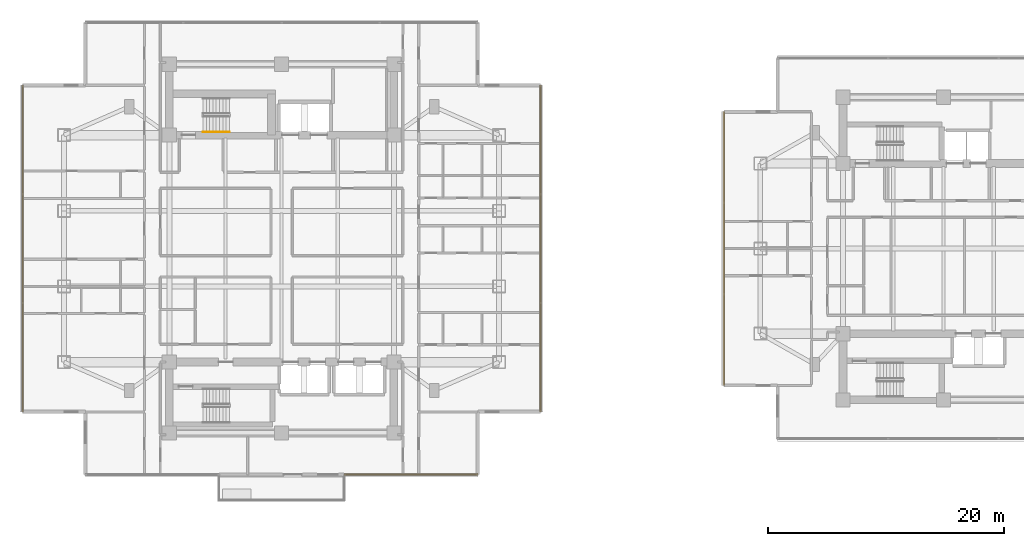
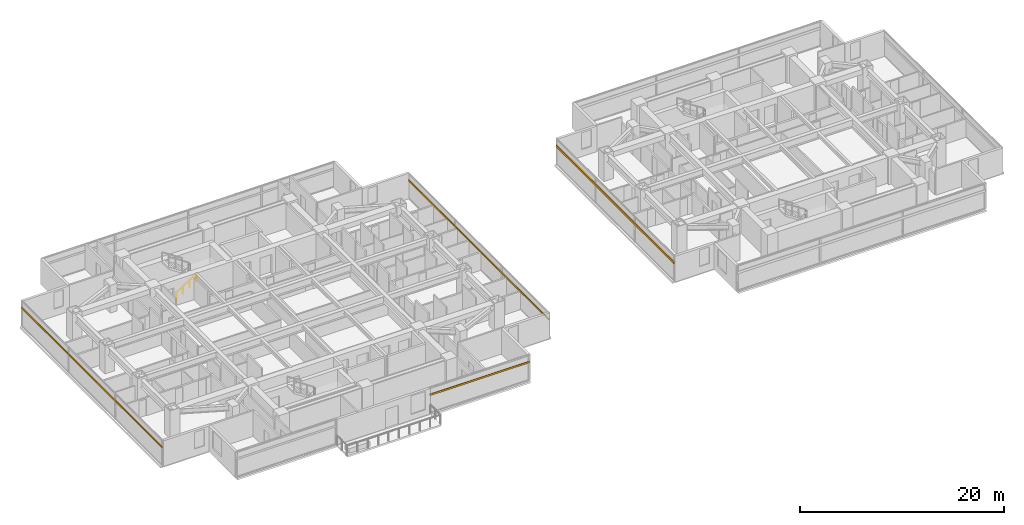
# One storey, part 22 of 26: 4 shading devices, 1 railing.
"""IFC4 building model written with IfcOpenShell, lengths in metres."""

import ifcopenshell
import ifcopenshell.guid

model = None  # the IFC model being written
_history = None  # IfcOwnerHistory: only IFC2X3 demands one
_inside = {}  # id of a spatial element -> (the spatial element, [elements in it])
_under = {}  # id of a project, library or spatial element -> (it, [spatial elements below it])
_declared = {}  # id of a project -> (the project, [libraries it declares])
_typed = {}  # id of a type object -> (the type object, [elements of that type])
_made_of = {}  # id of a material, layer set ... -> (it, [elements and type objects made of it])


def new_model(schema):
    """Start an empty IFC model of exactly this schema.

    Asked for "IFC4X3", IfcOpenShell would pick the latest addendum, in which some entities
    have other attributes; the version numbers below select the first issue.
    IFC2X3 requires an IfcOwnerHistory on every rooted entity: one is made here for all.
    """
    global model, _history
    if schema == "IFC4X3":
        model = ifcopenshell.file(schema_version=(4, 3, 0, 0))
    else:
        model = ifcopenshell.file(schema=schema)
    _inside.clear()
    _under.clear()
    _declared.clear()
    _typed.clear()
    _made_of.clear()
    _history = None
    if model.schema == "IFC2X3":
        org = make("IfcOrganization", Name="unknown")
        user = make(
            "IfcPersonAndOrganization",
            ThePerson=make("IfcPerson", FamilyName="unknown"),
            TheOrganization=org,
        )
        app = make(
            "IfcApplication",
            ApplicationDeveloper=org,
            Version="unknown",
            ApplicationFullName="unknown",
            ApplicationIdentifier="unknown",
        )
        _history = make(
            "IfcOwnerHistory",
            OwningUser=user,
            OwningApplication=app,
            ChangeAction="ADDED",
            CreationDate=0,
        )
    return model


def make(cls, **values):
    """One entity of the class cls with the attributes given. An attribute that is None is left unset."""
    return model.create_entity(
        cls, **{name: value for name, value in values.items() if value is not None}
    )


def rooted(cls, **values):
    """An entity with a GlobalId (a new one), such as an element, a storey or a relation."""
    return make(cls, GlobalId=ifcopenshell.guid.new(), OwnerHistory=_history, **values)


def si_unit(unit_type, name, prefix=None):
    """IfcSIUnit, for example si_unit("LENGTHUNIT", "METRE", prefix="MILLI")."""
    return make("IfcSIUnit", UnitType=unit_type, Prefix=prefix, Name=name)


def assignment(units):
    """IfcUnitAssignment: the units of a project."""
    return None if units is None else make("IfcUnitAssignment", Units=units)


def point(xyz):
    """IfcCartesianPoint."""
    return None if xyz is None else make("IfcCartesianPoint", Coordinates=xyz)


def direction(xyz):
    """IfcDirection."""
    return None if xyz is None else make("IfcDirection", DirectionRatios=xyz)


def frame(location, z_axis=None, x_axis=None):
    """IfcAxis2Placement3D, a coordinate frame: its origin and axes. An axis left out is left unset."""
    return make(
        "IfcAxis2Placement3D",
        Location=point(location),
        Axis=direction(z_axis),
        RefDirection=direction(x_axis),
    )


def frame_2d(location, x_axis=None):
    """IfcAxis2Placement2D, a coordinate frame in the plane: its origin and x axis."""
    return make(
        "IfcAxis2Placement2D", Location=point(location), RefDirection=direction(x_axis)
    )


def origin():
    """The frame at (0, 0, 0) with its axes left unset."""
    return frame((0.0, 0.0, 0.0))


def origin_2d():
    """The frame at (0, 0) in the plane with its x axis left unset."""
    return frame_2d((0.0, 0.0))


def place(relative_to, where):
    """IfcLocalPlacement: puts the frame where relative to a parent placement (None: the world)."""
    return make(
        "IfcLocalPlacement", PlacementRelTo=relative_to, RelativePlacement=where
    )


def context(
    kind, dimensions, precision=None, world=None, true_north=None, identifier=None
):
    """IfcGeometricRepresentationContext, for example the 3D "Model" context."""
    return make(
        "IfcGeometricRepresentationContext",
        ContextIdentifier=identifier,
        ContextType=kind,
        CoordinateSpaceDimension=dimensions,
        Precision=precision,
        WorldCoordinateSystem=world,
        TrueNorth=true_north,
    )


def subcontext(parent, identifier, kind, view, scale=None):
    """IfcGeometricRepresentationSubContext, for example "Body" below "Model"."""
    return make(
        "IfcGeometricRepresentationSubContext",
        ContextIdentifier=identifier,
        ContextType=kind,
        ParentContext=parent,
        TargetScale=scale,
        TargetView=view,
    )


def project(units=None, contexts=None):
    """IfcProject with its units and contexts."""
    return rooted(
        "IfcProject",
        Name="project",
        RepresentationContexts=contexts,
        UnitsInContext=assignment(units),
    )


def spatial(cls, under=None, at=None, **own):
    """A site, building, storey or space (cls), placed at a placement, below another one or the project."""
    s = rooted(cls, ObjectPlacement=at, **own)
    if under is not None:
        _under.setdefault(under.id(), (under, []))[1].append(s)
    return s


def profile(cls, at=None, kind="AREA", **sizes):
    """A parametric profile (cls). Its sizes go by their IFC names, for example OverallWidth=200.0."""
    return make(cls, ProfileType=kind, Position=at, **sizes)


def rectangle(**sizes):
    """IfcRectangleProfileDef."""
    return profile("IfcRectangleProfileDef", **sizes)


def circle(**sizes):
    """IfcCircleProfileDef."""
    return profile("IfcCircleProfileDef", **sizes)


def extrude(swept, where, along, depth):
    """IfcExtrudedAreaSolid: the profile swept, set in the frame where, extruded along a direction by depth."""
    return make(
        "IfcExtrudedAreaSolid",
        SweptArea=swept,
        Position=where,
        ExtrudedDirection=direction(along),
        Depth=depth,
    )


def shape(context_of_items, identifier, shape_type, items):
    """IfcShapeRepresentation: the items that make up one representation, for example the "Body"."""
    return make(
        "IfcShapeRepresentation",
        ContextOfItems=context_of_items,
        RepresentationIdentifier=identifier,
        RepresentationType=shape_type,
        Items=items,
    )


def material(Name=None, Category=None):
    """IfcMaterial."""
    return make("IfcMaterial", Name=Name, Category=Category)


def material_profile(
    of_material, cross_section, Name=None, Category=None, Priority=None
):
    """IfcMaterialProfile: a cross section and its material."""
    return make(
        "IfcMaterialProfile",
        Name=Name,
        Material=of_material,
        Profile=cross_section,
        Priority=Priority,
        Category=Category,
    )


def profile_set(profiles, Name=None, composite=None):
    """IfcMaterialProfileSet."""
    return make(
        "IfcMaterialProfileSet",
        Name=Name,
        MaterialProfiles=profiles,
        CompositeProfile=composite,
    )


def made_of(thing, what):
    """Note that an element or type object is made of a material, layer set ...; save() writes the relation."""
    if what is not None:
        _made_of.setdefault(what.id(), (what, []))[1].append(thing)
    return thing


def type_object(cls, material=None, **own):
    """A type object (cls), such as IfcWallType, which elements share."""
    return made_of(rooted(cls, **own), material)


def element(
    cls,
    number,
    at=None,
    inside=None,
    cuts=None,
    type_object=None,
    material=None,
    context=None,
    identifier="Body",
    shape_type=None,
    held_by="IfcProductDefinitionShape",
    body=None,
    shapes=None,
    **own,
):
    """One element of the class cls, such as IfcWall. Its Tag is "e" and its number.

    at: its placement. inside: the storey or other place that contains it. cuts: it is an
    opening in that element (IfcRelVoidsElement). A single representation is given by context,
    identifier, shape_type and body (its items); several are given by shapes. held_by: the class
    of the entity that holds the representations. save() writes the other relations.
    """
    e = rooted(cls, Tag="e%d" % number, ObjectPlacement=at, **own)
    if body is not None:
        shapes = [shape(context, identifier, shape_type, body)]
    if shapes is not None:
        e.Representation = make(held_by, Representations=shapes)
    if inside is not None:
        _inside.setdefault(inside.id(), (inside, []))[1].append(e)
    if cuts is not None:
        rooted(
            "IfcRelVoidsElement", RelatingBuildingElement=cuts, RelatedOpeningElement=e
        )
    if type_object is not None:
        _typed.setdefault(type_object.id(), (type_object, []))[1].append(e)
    return made_of(e, material)


def aggregate(whole, parts):
    """IfcRelAggregates: a whole, such as a stair, and the parts it consists of."""
    return rooted("IfcRelAggregates", RelatingObject=whole, RelatedObjects=parts)


def save(model, path):
    """Write the relations noted so far, then the file.

    IfcRelAggregates (storeys below a building ...), IfcRelContainedInSpatialStructure (elements
    in a storey), IfcRelDefinesByType, IfcRelAssociatesMaterial and IfcRelDeclares: one each for
    every whole, place, type object, material and project.
    """
    for whole, parts in _under.values():
        aggregate(whole, parts)
    for where, things in _inside.values():
        rooted(
            "IfcRelContainedInSpatialStructure",
            RelatedElements=things,
            RelatingStructure=where,
        )
    for kind, things in _typed.values():
        rooted("IfcRelDefinesByType", RelatedObjects=things, RelatingType=kind)
    for what, things in _made_of.values():
        rooted("IfcRelAssociatesMaterial", RelatedObjects=things, RelatingMaterial=what)
    for by, libraries in _declared.values():
        rooted("IfcRelDeclares", RelatingContext=by, RelatedDefinitions=libraries)
    model.write(path)


model = new_model("IFC4")

# Units and contexts
model_context = context("Model", 3, precision=1e-05, world=origin(), true_north=direction((0.0, 1.0)))
body_context = subcontext(model_context, "Body", "Model", "MODEL_VIEW")
ifc_project = project(units=[si_unit("LENGTHUNIT", "METRE"), si_unit("AREAUNIT", "SQUARE_METRE"), si_unit("VOLUMEUNIT", "CUBIC_METRE"), si_unit("PLANEANGLEUNIT", "RADIAN"), si_unit("MASSUNIT", "GRAM", prefix="KILO")], contexts=[model_context])

# Site, building, storey
site_placement = place(None, origin())
site = spatial("IfcSite", under=ifc_project, at=site_placement, CompositionType="ELEMENT")
building_placement = place(site_placement, origin())
building = spatial("IfcBuilding", under=site, at=building_placement, Name="Mirazonda Arch Towers", CompositionType="ELEMENT")
storey_placement = place(building_placement, frame((0.0, 0.0, 108.199951171875)))
storey = spatial("IfcBuildingStorey", under=building, at=storey_placement, Name="L30", CompositionType="ELEMENT", Elevation=108.199951171875)

# Shading devices
ifc_material_1 = material(Name="Kiln-Fired Architectural Terracotta", Category="masonry")
ifc_material_profile_1 = material_profile(ifc_material_1, rectangle(XDim=0.10009765625, YDim=0.199951171875, at=origin_2d()), Name="TERRA-BAG-100x200")
ifc_profile_set_1 = profile_set([ifc_material_profile_1], Name="Kiln-Fired Architectural Terracotta")
shading_device_type_1 = type_object("IfcShadingDeviceType", Name="BAGUETTE-2", PredefinedType="USERDEFINED", material=ifc_profile_set_1)
shading_device_1_placement = place(storey_placement, frame((37.10498046875, 8.882080078125, 2.203369140625), z_axis=(-1.0, 0.0, 0.0), x_axis=(0.0, -1.0, 0.0)))
element("IfcShadingDevice", 1, at=shading_device_1_placement, inside=storey, type_object=shading_device_type_1, Name="L30 Glazed Terracotta Sun-Screen Baguette CW-L30-T1-SA", ObjectType="BAGUETTE", PredefinedType="USERDEFINED", context=body_context, shape_type="SweptSolid", body=[
    extrude(rectangle(XDim=0.10009765625, YDim=0.199951171875, at=origin_2d()), origin(), (0.0, 0.0, 1.0), 11.31494140625),
])
for number, where, z_axis, x_axis, name in (
    (2, (42.409912109375, 14.18701171875, 2.203369140625), (0.0, 1.0, 0.0), (-1.0, 0.0, 0.0), "L30 Glazed Terracotta Sun-Screen Baguette CW-L30-T1-E"),
    (3, (-1.409912109375, 41.81298828125, 2.203369140625), (0.0, -1.0, 0.0), (1.0, 0.0, 0.0), "L30 Glazed Terracotta Sun-Screen Baguette CW-L30-T1-W"),
):
    element("IfcShadingDevice", number, at=place(storey_placement, frame(where, z_axis=z_axis, x_axis=x_axis)), inside=storey, type_object=shading_device_type_1, Name=name, ObjectType="BAGUETTE", PredefinedType="USERDEFINED", context=body_context, shape_type="SweptSolid", body=[
        extrude(rectangle(XDim=0.10009765625, YDim=0.199951171875, at=origin_2d()), origin(), (0.0, 0.0, 1.0), 27.6259765625),
    ])
ifc_material_profile_2 = material_profile(ifc_material_1, rectangle(XDim=0.139892578125, YDim=0.280029296875, at=origin_2d()), Name="TERRA-BAG-140x280")
ifc_profile_set_2 = profile_set([ifc_material_profile_2], Name="Kiln-Fired Architectural Terracotta")
shading_device_type_2 = type_object("IfcShadingDeviceType", Name="BAGUETTE-3", PredefinedType="USERDEFINED", material=ifc_profile_set_2)
shading_device_2_placement = place(storey_placement, frame((57.929443359375, 39.5810546875, 2.203369140625), z_axis=(0.0, -1.0, 0.0), x_axis=(1.0, 0.0, 0.0)))
element("IfcShadingDevice", 4, at=shading_device_2_placement, inside=storey, type_object=shading_device_type_2, Name="L30 Glazed Terracotta Sun-Screen Baguette CW-L30-T2-W", ObjectType="BAGUETTE", PredefinedType="USERDEFINED", context=body_context, shape_type="SweptSolid", body=[
    extrude(rectangle(XDim=0.139892578125, YDim=0.280029296875, at=origin_2d()), origin(), (0.0, 0.0, 1.0), 23.162109375),
])

# Railing
ifc_material_2 = material(Name="Architectural Brushed Steel S355", Category="steel")
railing_type = type_object("IfcRailingType", Name="HANDRAIL-915", PredefinedType="HANDRAIL", material=ifc_material_2)
railing_placement = place(storey_placement, frame((13.85009765625, 37.8701171875, 0.183349609375)))
element("IfcRailing", 5, at=railing_placement, inside=storey, type_object=railing_type, Name="L30 ST-T1N stair handrail 1", PredefinedType="HANDRAIL", context=body_context, shape_type="SweptSolid", body=[
    extrude(circle(Radius=0.02392578125, at=origin_2d()), frame((0.0, 0.0, 0.8759765625), z_axis=(0.836595146698, 0.0, 0.547821650285), x_axis=(0.0, 1.0, 0.0)), (0.0, 0.0, 1.0), 2.677490234375),
    extrude(circle(Radius=0.02099609375, at=origin_2d()), origin(), (0.0, 0.0, 1.0), 0.851806640625),
    extrude(circle(Radius=0.02099609375, at=origin_2d()), frame((0.74658203125, 0.0, 0.489013671875)), (0.0, 0.0, 1.0), 0.851806640625),
    extrude(circle(Radius=0.02099609375, at=origin_2d()), frame((1.493408203125, 0.0, 0.977783203125)), (0.0, 0.0, 1.0), 0.851806640625),
    extrude(circle(Radius=0.02099609375, at=origin_2d()), frame((2.239990234375, 0.0, 1.466796875)), (0.0, 0.0, 1.0), 0.851806640625),
])

save(model, "model.ifc")
